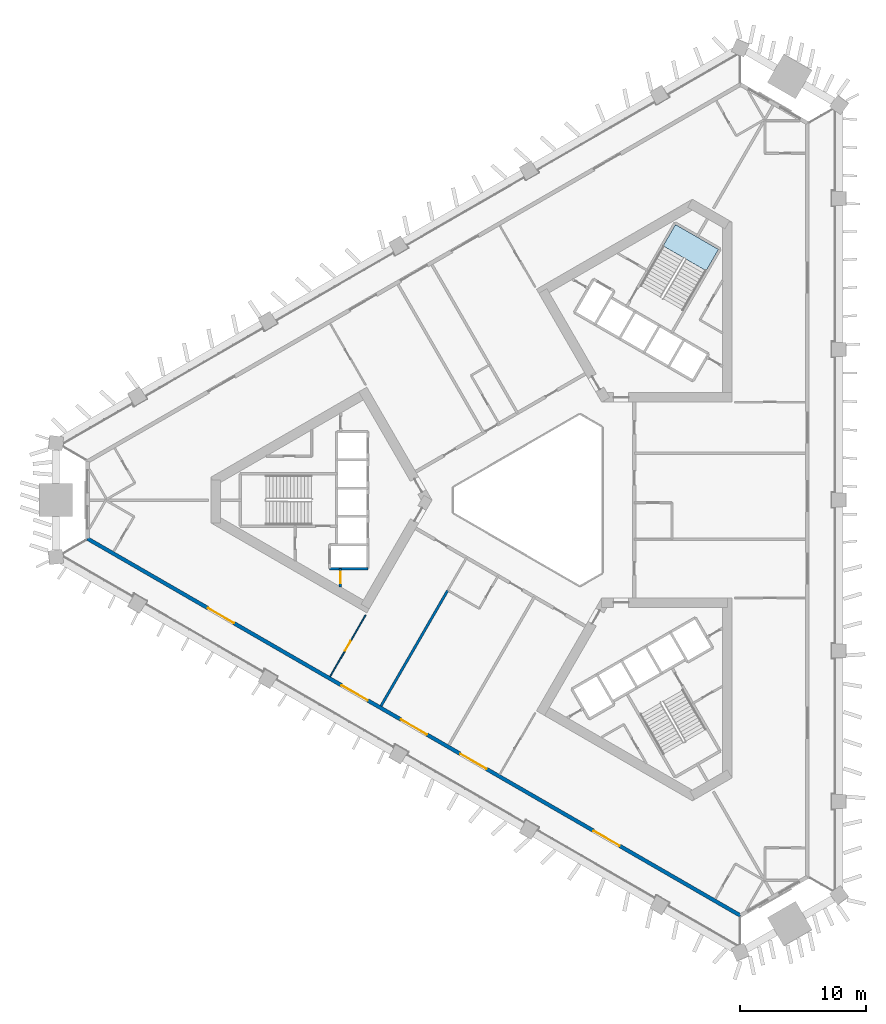
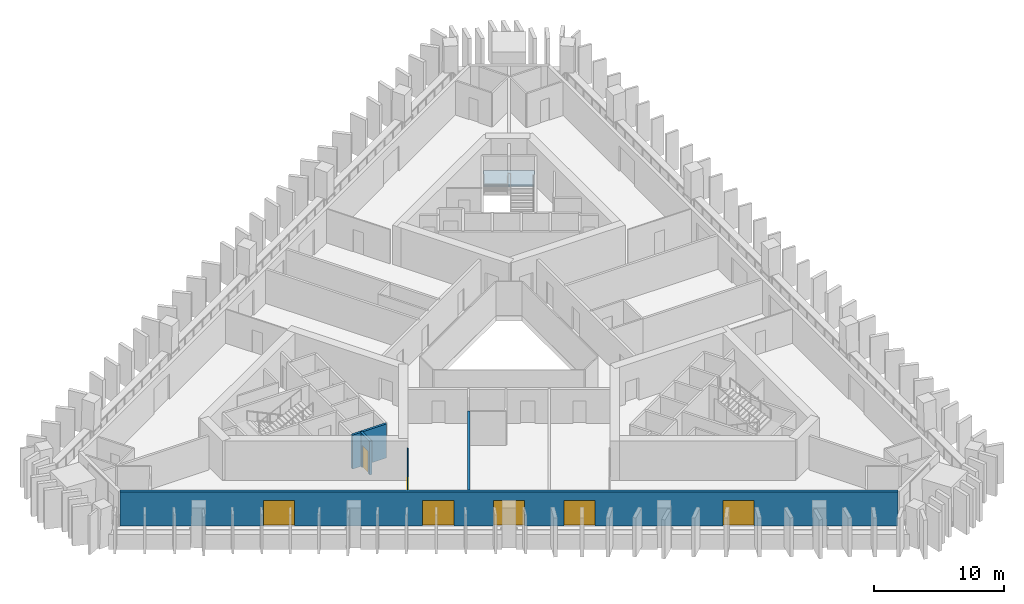
# One storey, part 2 of 11: 7 doors, 5 walls, 1 slab, 7 openings, 1 element without a shape of its own.
"""IFC4 building model written with IfcOpenShell, lengths in metres."""

from ifc_helpers import new_model, si_unit, direction, frame, frame_2d, origin, place, context, subcontext, project, spatial, polyline, rectangle, outline, extrude, material, layer, layer_set, type_object, element, fill, aggregate, save


model = new_model("IFC4")

# Units and contexts
model_context = context("Model", 3, precision=1e-05, world=origin(), true_north=direction((0.0, 1.0)))
body_context = subcontext(model_context, "Body", "Model", "MODEL_VIEW")
ifc_project = project(units=[si_unit("LENGTHUNIT", "METRE"), si_unit("AREAUNIT", "SQUARE_METRE"), si_unit("VOLUMEUNIT", "CUBIC_METRE"), si_unit("PLANEANGLEUNIT", "RADIAN"), si_unit("MASSUNIT", "GRAM", prefix="KILO")], contexts=[model_context])

# Site, building, storey
site_placement = place(None, origin())
site = spatial("IfcSite", under=ifc_project, at=site_placement, CompositionType="ELEMENT")
building_placement = place(site_placement, origin())
building = spatial("IfcBuilding", under=site, at=building_placement, Name="Jabali Bay Hotel Tower and Convention Centre", CompositionType="ELEMENT")
storey_placement = place(building_placement, frame((0.0, 0.0, 61.0)))
storey = spatial("IfcBuildingStorey", under=building, at=storey_placement, Name="L13", CompositionType="ELEMENT", Elevation=61.0)

# Stair, slab
ifc_material_1 = material(Name="Concrete C40", Category="concrete")
stair_type = type_object("IfcStairType", Name="Exit stair 1900", PredefinedType="HALF_TURN_STAIR", material=ifc_material_1)
stair_placement = place(storey_placement, origin())
stair = element("IfcStair", 1, at=stair_placement, inside=storey, type_object=stair_type, Name="L13 Exit Stair 2", PredefinedType="HALF_TURN_STAIR")
ifc_layer_1 = layer(ifc_material_1, 0.199951171875)
ifc_layer_set_1 = layer_set([ifc_layer_1], Name="Concrete C40")
slab_type = type_object("IfcSlabType", Name="Stair landing 200", PredefinedType="LANDING", material=ifc_layer_set_1)
slab_placement = place(storey_placement, frame((0.0, 0.0, 1.64990234375)))
slab = element("IfcSlab", 2, at=slab_placement, type_object=slab_type, Name="ST2 landing 1", PredefinedType="LANDING", context=body_context, shape_type="SweptSolid", body=[
    extrude(outline(polyline([(87.81884765625, 98.2529296875), (88.80029296875, 99.952880859375), (85.379638671875, 101.927978515625), (84.398193359375, 100.22802734375), (87.81884765625, 98.2529296875)])), origin(), (0.0, 0.0, 1.0), 0.2001953125),
])
aggregate(stair, [slab])

# Wall, opening, door
ifc_layer_2 = layer(ifc_material_1, 0.199951171875)
ifc_layer_set_2 = layer_set([ifc_layer_2], Name="Concrete C40")
wall_type_1 = type_object("IfcWallType", Name="Core partition wall 200", PredefinedType="PARTITIONING", material=ifc_layer_set_2)
wall_1_placement = place(storey_placement, frame((58.699951171875, 74.550048828125, 0.0), z_axis=(0.0, 0.0, 1.0), x_axis=(0.0, -1.0, 0.0)))
wall_1 = element("IfcWall", 3, at=wall_1_placement, inside=storey, type_object=wall_type_1, Name="Core wall 0.12 L13", PredefinedType="PARTITIONING", context=body_context, shape_type="SweptSolid", body=[
    extrude(rectangle(XDim=1.455078125, YDim=0.199951171875, at=frame_2d((0.7275390625, 0.0))), origin(), (0.0, 0.0, 1.0), 3.199951171875),
])
opening_1_placement = place(wall_1_placement, frame((0.277587890625, 0.0, 0.0)))
opening_1 = element("IfcOpeningElement", 4, at=opening_1_placement, cuts=wall_1, Name="Opening D348", PredefinedType="OPENING", context=body_context, shape_type="SweptSolid", body=[
    extrude(rectangle(XDim=0.89990234375, YDim=2.10009765625, at=frame_2d((0.449951171875, 1.050048828125))), frame((0.0, 0.1103515625, 0.0), z_axis=(0.0, -1.0, 0.0), x_axis=(1.0, 0.0, 0.0)), (0.0, 0.0, 1.0), 0.220947265625),
])
ifc_material_2 = material(Name="Fire-rated steel door", Category="steel")
door_type_1 = type_object("IfcDoorType", Name="Vestibule fire door 900 x 2100", OperationType="NOTDEFINED", PredefinedType="NOTDEFINED", material=ifc_material_2)
door_1_placement = place(opening_1_placement, origin())
door_1 = element("IfcDoor", 5, at=door_1_placement, inside=storey, type_object=door_type_1, Name="Vestibule fire door D348", OperationType="SINGLE_SWING_LEFT", OverallHeight=2.10009765625, OverallWidth=0.89990234375, PredefinedType="NOTDEFINED", context=body_context, shape_type="SweptSolid", body=[
    extrude(rectangle(XDim=0.89990234375, YDim=2.10009765625, at=frame_2d((0.449951171875, 1.050048828125))), frame((0.0, 0.02490234375, 0.0), z_axis=(0.0, -1.0, 0.0), x_axis=(1.0, 0.0, 0.0)), (0.0, 0.0, 1.0), 0.050048828125),
])
fill(opening_1, door_1)

# Wall
ifc_layer_3 = layer(ifc_material_1, 0.199951171875)
ifc_layer_set_3 = layer_set([ifc_layer_3], Name="Concrete C40")
wall_type_2 = type_object("IfcWallType", Name="Core stair wall 200", PredefinedType="SOLIDWALL", material=ifc_layer_set_3)
wall_2_placement = place(storey_placement, frame((60.89990234375, 74.550048828125, 0.0), z_axis=(0.0, 0.0, 1.0), x_axis=(-1.0, 0.0, 0.0)))
element("IfcWall", 6, at=wall_2_placement, inside=storey, type_object=wall_type_2, Name="Core wall 0.9 L13", PredefinedType="SOLIDWALL", context=body_context, shape_type="SweptSolid", body=[
    extrude(rectangle(XDim=3.0498046875, YDim=0.199951171875, at=frame_2d((1.52490234375, 0.0))), origin(), (0.0, 0.0, 1.0), 3.199951171875),
])

# Wall, openings, doors
ifc_layer_4 = layer(ifc_material_1, 0.300048828125)
ifc_layer_set_4 = layer_set([ifc_layer_4], Name="Concrete C40")
wall_type_3 = type_object("IfcWallType", Name="External wall 300", PredefinedType="SOLIDWALL", material=ifc_layer_set_4)
wall_3_placement = place(storey_placement, frame((90.5546875, 46.916015625, 0.0), z_axis=(0.0, 0.0, 1.0), x_axis=(-0.866024926003, 0.500000827541, 0.0)))
wall_3 = element("IfcWall", 7, at=wall_3_placement, inside=storey, type_object=wall_type_3, Name="External wall south-west face L13", PredefinedType="SOLIDWALL", context=body_context, shape_type="SweptSolid", body=[
    extrude(rectangle(XDim=60.025390625, YDim=0.300048828125, at=frame_2d((30.0126953125, 0.0))), origin(), (0.0, 0.0, 1.0), 3.199951171875),
])
opening_2_placement = place(wall_3_placement, frame((28.812744140625, 0.0, 0.0)))
opening_2 = element("IfcOpeningElement", 8, at=opening_2_placement, cuts=wall_3, Name="Opening SD1", PredefinedType="OPENING", context=body_context, shape_type="SweptSolid", body=[
    extrude(rectangle(XDim=2.39990234375, YDim=2.39990234375, at=frame_2d((1.199951171875, 1.199951171875))), frame((0.0, 0.16064453125, 0.0), z_axis=(0.0, -1.0, 0.0), x_axis=(1.0, 0.0, 0.0)), (0.0, 0.0, 1.0), 0.321044921875),
])
opening_3_placement = place(wall_3_placement, frame((34.2685546875, 0.0, 0.0)))
opening_3 = element("IfcOpeningElement", 9, at=opening_3_placement, cuts=wall_3, Name="Opening SD1", PredefinedType="OPENING", context=body_context, shape_type="SweptSolid", body=[
    extrude(rectangle(XDim=2.39990234375, YDim=2.39990234375, at=frame_2d((1.199951171875, 1.199951171875))), frame((0.0, 0.16064453125, 0.0), z_axis=(0.0, -1.0, 0.0), x_axis=(1.0, 0.0, 0.0)), (0.0, 0.0, 1.0), 0.321044921875),
])
opening_4_placement = place(wall_3_placement, frame((46.557861328125, 0.0, 0.0)))
opening_4 = element("IfcOpeningElement", 10, at=opening_4_placement, cuts=wall_3, Name="Opening SD1", PredefinedType="OPENING", context=body_context, shape_type="SweptSolid", body=[
    extrude(rectangle(XDim=2.39990234375, YDim=2.39990234375, at=frame_2d((1.199951171875, 1.199951171875))), frame((0.0, 0.16064453125, 0.0), z_axis=(0.0, -1.0, 0.0), x_axis=(1.0, 0.0, 0.0)), (0.0, 0.0, 1.0), 0.321044921875),
])
opening_5_placement = place(wall_3_placement, frame((23.356689453125, 0.0, 0.0)))
opening_5 = element("IfcOpeningElement", 11, at=opening_5_placement, cuts=wall_3, Name="Opening SD1", PredefinedType="OPENING", context=body_context, shape_type="SweptSolid", body=[
    extrude(rectangle(XDim=2.39990234375, YDim=2.39990234375, at=frame_2d((1.199951171875, 1.199951171875))), frame((0.0, 0.16064453125, 0.0), z_axis=(0.0, -1.0, 0.0), x_axis=(1.0, 0.0, 0.0)), (0.0, 0.0, 1.0), 0.321044921875),
])
opening_6_placement = place(wall_3_placement, frame((11.109375, 0.0, 0.0)))
opening_6 = element("IfcOpeningElement", 12, at=opening_6_placement, cuts=wall_3, Name="Opening SD1", PredefinedType="OPENING", context=body_context, shape_type="SweptSolid", body=[
    extrude(rectangle(XDim=2.39990234375, YDim=2.39990234375, at=frame_2d((1.199951171875, 1.199951171875))), frame((0.0, 0.16064453125, 0.0), z_axis=(0.0, -1.0, 0.0), x_axis=(1.0, 0.0, 0.0)), (0.0, 0.0, 1.0), 0.321044921875),
])
ifc_material_3 = material(Name="Glass", Category="glass")
door_type_2 = type_object("IfcDoorType", Name="Loggia sliding door 2400 x 2400", OperationType="NOTDEFINED", PredefinedType="NOTDEFINED", material=ifc_material_3)
door_2_placement = place(opening_2_placement, origin())
door_2 = element("IfcDoor", 13, at=door_2_placement, inside=storey, type_object=door_type_2, Name="Loggia sliding door 1308", OperationType="SLIDING_TO_LEFT", OverallHeight=2.39990234375, OverallWidth=2.39990234375, PredefinedType="NOTDEFINED", context=body_context, shape_type="SweptSolid", body=[
    extrude(rectangle(XDim=2.39990234375, YDim=2.39990234375, at=frame_2d((1.199951171875, 1.199951171875))), frame((0.0, 0.02490234375, 0.0), z_axis=(0.0, -1.0, 0.0), x_axis=(1.0, 0.0, 0.0)), (0.0, 0.0, 1.0), 0.050048828125),
])
fill(opening_2, door_2)
door_3_placement = place(opening_3_placement, origin())
door_3 = element("IfcDoor", 14, at=door_3_placement, inside=storey, type_object=door_type_2, Name="Loggia sliding door 1307", OperationType="SLIDING_TO_RIGHT", OverallHeight=2.39990234375, OverallWidth=2.39990234375, PredefinedType="NOTDEFINED", context=body_context, shape_type="SweptSolid", body=[
    extrude(rectangle(XDim=2.39990234375, YDim=2.39990234375, at=frame_2d((1.199951171875, 1.199951171875))), frame((0.0, 0.02490234375, 0.0), z_axis=(0.0, -1.0, 0.0), x_axis=(1.0, 0.0, 0.0)), (0.0, 0.0, 1.0), 0.050048828125),
])
fill(opening_3, door_3)
door_4_placement = place(opening_4_placement, origin())
door_4 = element("IfcDoor", 15, at=door_4_placement, inside=storey, type_object=door_type_2, Name="Loggia sliding door 1307", OperationType="SLIDING_TO_LEFT", OverallHeight=2.39990234375, OverallWidth=2.39990234375, PredefinedType="NOTDEFINED", context=body_context, shape_type="SweptSolid", body=[
    extrude(rectangle(XDim=2.39990234375, YDim=2.39990234375, at=frame_2d((1.199951171875, 1.199951171875))), frame((0.0, 0.02490234375, 0.0), z_axis=(0.0, -1.0, 0.0), x_axis=(1.0, 0.0, 0.0)), (0.0, 0.0, 1.0), 0.050048828125),
])
fill(opening_4, door_4)
door_5_placement = place(opening_5_placement, origin())
door_5 = element("IfcDoor", 16, at=door_5_placement, inside=storey, type_object=door_type_2, Name="Loggia sliding door 1309", OperationType="SLIDING_TO_RIGHT", OverallHeight=2.39990234375, OverallWidth=2.39990234375, PredefinedType="NOTDEFINED", context=body_context, shape_type="SweptSolid", body=[
    extrude(rectangle(XDim=2.39990234375, YDim=2.39990234375, at=frame_2d((1.199951171875, 1.199951171875))), frame((0.0, 0.02490234375, 0.0), z_axis=(0.0, -1.0, 0.0), x_axis=(1.0, 0.0, 0.0)), (0.0, 0.0, 1.0), 0.050048828125),
])
fill(opening_5, door_5)
door_6_placement = place(opening_6_placement, origin())
door_6 = element("IfcDoor", 17, at=door_6_placement, inside=storey, type_object=door_type_2, Name="Loggia sliding door 1309", OperationType="SLIDING_TO_LEFT", OverallHeight=2.39990234375, OverallWidth=2.39990234375, PredefinedType="NOTDEFINED", context=body_context, shape_type="SweptSolid", body=[
    extrude(rectangle(XDim=2.39990234375, YDim=2.39990234375, at=frame_2d((1.199951171875, 1.199951171875))), frame((0.0, 0.02490234375, 0.0), z_axis=(0.0, -1.0, 0.0), x_axis=(1.0, 0.0, 0.0)), (0.0, 0.0, 1.0), 0.050048828125),
])
fill(opening_6, door_6)

# Wall, opening, door
ifc_material_4 = material(Name="Plasterboard on steel stud", Category="steel")
ifc_layer_5 = layer(ifc_material_4, 0.10009765625)
ifc_layer_set_5 = layer_set([ifc_layer_5], Name="Plasterboard on steel stud")
wall_type_4 = type_object("IfcWallType", Name="Partition 100 unit", PredefinedType="PARTITIONING", material=ifc_layer_set_5)
wall_4_placement = place(storey_placement, frame((60.71044921875, 70.83837890625, 0.0), z_axis=(0.0, 0.0, 1.0), x_axis=(-0.49999444814, -0.866028609128, 0.0)))
wall_4 = element("IfcWall", 18, at=wall_4_placement, inside=storey, type_object=wall_type_4, Name="Partition P02 L13 029", PredefinedType="PARTITIONING", context=body_context, shape_type="SweptSolid", body=[
    extrude(rectangle(XDim=5.64599609375, YDim=0.10009765625, at=frame_2d((2.822998046875, 0.0))), origin(), (0.0, 0.0, 1.0), 3.199951171875),
])
opening_7_placement = place(wall_4_placement, frame((2.373046875, 0.0, 0.0)))
opening_7 = element("IfcOpeningElement", 19, at=opening_7_placement, cuts=wall_4, Name="Opening 1318", PredefinedType="OPENING", context=body_context, shape_type="SweptSolid", body=[
    extrude(rectangle(XDim=0.89990234375, YDim=2.10009765625, at=frame_2d((0.449951171875, 1.050048828125))), frame((0.0, 0.060546875, 0.0), z_axis=(0.0, -1.0, 0.0), x_axis=(1.0, 0.0, 0.0)), (0.0, 0.0, 1.0), 0.12109375),
])
ifc_material_5 = material(Name="Timber", Category="wood")
door_type_3 = type_object("IfcDoorType", Name="Internal door 900 x 2100", OperationType="NOTDEFINED", PredefinedType="NOTDEFINED", material=ifc_material_5)
door_7_placement = place(opening_7_placement, origin())
door_7 = element("IfcDoor", 20, at=door_7_placement, inside=storey, type_object=door_type_3, Name="Door 1318", OperationType="SINGLE_SWING_LEFT", OverallHeight=2.10009765625, OverallWidth=0.89990234375, PredefinedType="NOTDEFINED", context=body_context, shape_type="SweptSolid", body=[
    extrude(rectangle(XDim=0.89990234375, YDim=2.10009765625, at=frame_2d((0.449951171875, 1.050048828125))), frame((0.0, 0.02490234375, 0.0), z_axis=(0.0, -1.0, 0.0), x_axis=(1.0, 0.0, 0.0)), (0.0, 0.0, 1.0), 0.050048828125),
])
fill(opening_7, door_7)

# Wall
ifc_layer_6 = layer(ifc_material_4, 0.199951171875)
ifc_layer_set_6 = layer_set([ifc_layer_6], Name="Plasterboard on steel stud")
wall_type_5 = type_object("IfcWallType", Name="Partition 200 party", PredefinedType="PARTITIONING", material=ifc_layer_set_6)
wall_5_placement = place(storey_placement, frame((61.9375, 63.6103515625, 0.0), z_axis=(0.0, 0.0, 1.0), x_axis=(0.499994284652, 0.866028703517, 0.0)))
element("IfcWall", 21, at=wall_5_placement, inside=storey, type_object=wall_type_5, Name="Partition P01 L13 030", PredefinedType="PARTITIONING", context=body_context, shape_type="SweptSolid", body=[
    extrude(rectangle(XDim=10.625, YDim=0.199951171875, at=frame_2d((5.3125, 0.0))), origin(), (0.0, 0.0, 1.0), 3.199951171875),
])

save(model, "model.ifc")
